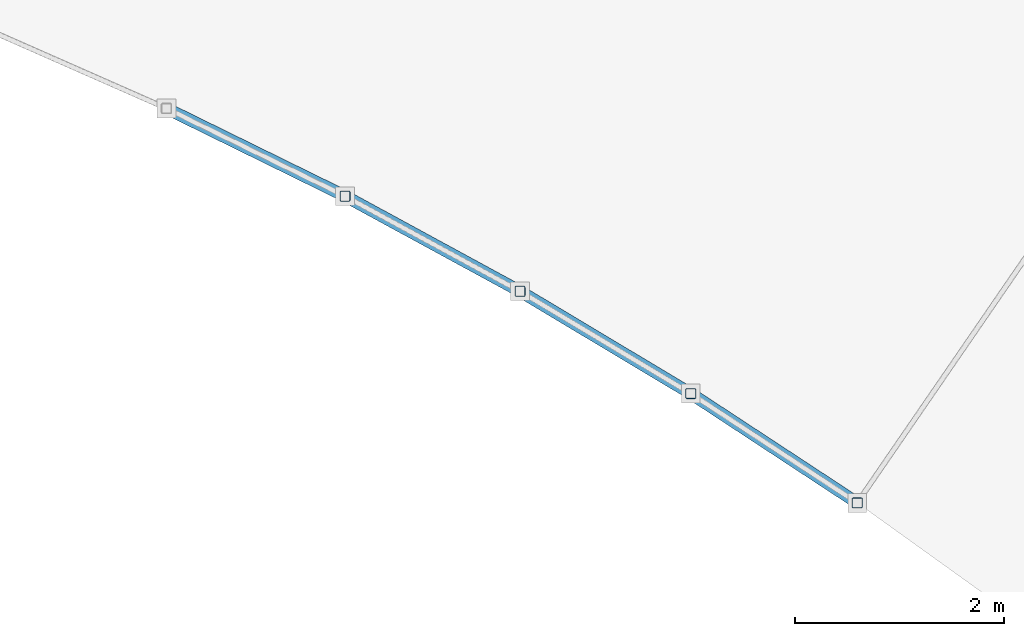
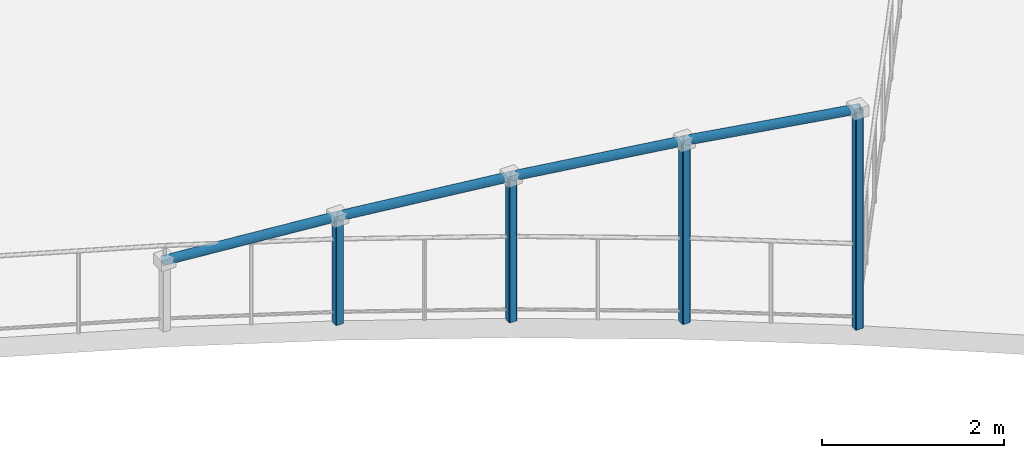
# One storey, part 16 of 58: 8 members.
"""IFC4 building model written with IfcOpenShell, lengths in metres."""

from ifc_helpers import new_model, si_unit, direction, frame, origin, origin_2d, place, context, subcontext, project, spatial, hollow_rectangle, hollow_circle, extrude, material, material_profile, profile_set, type_object, element, save


model = new_model("IFC4")

# Units and contexts
model_context = context("Model", 3, precision=1e-05, world=origin(), true_north=direction((0.0, 1.0)))
body_context = subcontext(model_context, "Body", "Model", "MODEL_VIEW")
ifc_project = project(units=[si_unit("LENGTHUNIT", "METRE"), si_unit("AREAUNIT", "SQUARE_METRE"), si_unit("VOLUMEUNIT", "CUBIC_METRE"), si_unit("PLANEANGLEUNIT", "RADIAN"), si_unit("MASSUNIT", "GRAM", prefix="KILO"), si_unit("POWERUNIT", "WATT"), si_unit("THERMODYNAMICTEMPERATUREUNIT", "KELVIN")], contexts=[model_context])

# Site, building, storey
site_placement = place(None, origin())
site = spatial("IfcSite", under=ifc_project, at=site_placement, CompositionType="ELEMENT")
building_placement = place(site_placement, origin())
building = spatial("IfcBuilding", under=site, at=building_placement, Name="Ruvembo Vaulted Housing Court", CompositionType="ELEMENT")
storey_placement = place(building_placement, frame((0.0, 0.0, 20.5)))
storey = spatial("IfcBuildingStorey", under=building, at=storey_placement, Name="L06", CompositionType="ELEMENT", Elevation=20.5)

# Members
ifc_material = material(Name="Steel S355J2", Category="steel")
ifc_material_profile_1 = material_profile(ifc_material, hollow_rectangle(XDim=0.10009765625, YDim=0.10009765625, WallThickness=0.00634765625, InnerFilletRadius=0.00634765625, OuterFilletRadius=0.0126953125, at=origin_2d()), Name="SHS 100x100x6.3")
ifc_profile_set_1 = profile_set([ifc_material_profile_1], Name="Steel S355J2")
member_type_1 = type_object("IfcMemberType", Name="MEM-FRM-SHS100", PredefinedType="STRUT", material=ifc_profile_set_1)
member_1_placement = place(storey_placement, frame((138.04248046875, 90.6796875, -0.02001953125), z_axis=(0.0, 0.0, 1.0), x_axis=(1.0, 0.0, 0.0)))
element("IfcMember", 1, at=member_1_placement, inside=storey, type_object=member_type_1, Name="Scoop SC3 L06 Upswept Post 26A", PredefinedType="STRUT", context=body_context, shape_type="SweptSolid", body=[
    extrude(hollow_rectangle(XDim=0.10009765625, YDim=0.10009765625, WallThickness=0.00634765625, InnerFilletRadius=0.00634765625, OuterFilletRadius=0.0126953125, at=origin_2d()), origin(), (0.0, 0.0, 1.0), 1.419921875),
])
member_2_placement = place(storey_placement, frame((139.712646484375, 89.771484375, -0.02001953125), z_axis=(0.0, 0.0, 1.0), x_axis=(1.0, 0.0, 0.0)))
element("IfcMember", 2, at=member_2_placement, inside=storey, type_object=member_type_1, Name="Scoop SC3 L06 Upswept Post 27A", PredefinedType="STRUT", context=body_context, shape_type="SweptSolid", body=[
    extrude(hollow_rectangle(XDim=0.10009765625, YDim=0.10009765625, WallThickness=0.00634765625, InnerFilletRadius=0.00634765625, OuterFilletRadius=0.0126953125, at=origin_2d()), origin(), (0.0, 0.0, 1.0), 1.919921875),
])
member_3_placement = place(storey_placement, frame((141.343505859375, 88.794677734375, -0.02001953125), z_axis=(0.0, 0.0, 1.0), x_axis=(1.0, 0.0, 0.0)))
element("IfcMember", 3, at=member_3_placement, inside=storey, type_object=member_type_1, Name="Scoop SC3 L06 Upswept Post 28A", PredefinedType="STRUT", context=body_context, shape_type="SweptSolid", body=[
    extrude(hollow_rectangle(XDim=0.10009765625, YDim=0.10009765625, WallThickness=0.00634765625, InnerFilletRadius=0.00634765625, OuterFilletRadius=0.0126953125, at=origin_2d()), origin(), (0.0, 0.0, 1.0), 2.419921875),
])
member_4_placement = place(storey_placement, frame((142.9326171875, 87.751220703125, -0.02001953125), z_axis=(0.0, 0.0, 1.0), x_axis=(1.0, 0.0, 0.0)))
element("IfcMember", 4, at=member_4_placement, inside=storey, type_object=member_type_1, Name="Scoop SC3 L06 Upswept Post 28B", PredefinedType="STRUT", context=body_context, shape_type="SweptSolid", body=[
    extrude(hollow_rectangle(XDim=0.10009765625, YDim=0.10009765625, WallThickness=0.00634765625, InnerFilletRadius=0.00634765625, OuterFilletRadius=0.0126953125, at=origin_2d()), origin(), (0.0, 0.0, 1.0), 2.919921875),
])
ifc_material_profile_2 = material_profile(ifc_material, hollow_circle(Radius=0.05712890625, WallThickness=0.00634765625, at=origin_2d()), Name="CHS 114.3x6.3")
ifc_profile_set_2 = profile_set([ifc_material_profile_2], Name="Steel S355J2")
member_type_2 = type_object("IfcMemberType", Name="MEM-STR-CHS114", PredefinedType="STRUT", material=ifc_profile_set_2)
member_5_placement = place(storey_placement, frame((136.30859375, 91.531494140625, 0.891845703125), z_axis=(0.868051528671, -0.426326859425, 0.254424748218), x_axis=(0.440833556892, 0.897588867532, 0.0)))
element("IfcMember", 5, at=member_5_placement, inside=storey, type_object=member_type_2, Name="Scoop SC3 L06 Upswept Crest Tube 25", PredefinedType="STRUT", context=body_context, shape_type="SweptSolid", body=[
    extrude(hollow_circle(Radius=0.05712890625, WallThickness=0.00634765625, at=origin_2d()), origin(), (0.0, 0.0, 1.0), 2.029541015625),
])
for number, where, z_axis, x_axis, name in (
    (6, (138.015380859375, 90.694580078125, 1.391845703125), (0.849545893872, -0.462120249789, 0.254394671604), (0.477840985732, 0.878446351438, 0.0), "Scoop SC3 L06 Upswept Crest Tube 26"),
    (7, (139.68603515625, 89.787353515625, 1.891845703125), (0.8296957079, -0.496879235914, 0.254393508583), (0.513782265286, 0.857920616303, 0.0), "Scoop SC3 L06 Upswept Crest Tube 27"),
    (8, (141.317626953125, 88.811767578125, 2.391845703125), (0.808361177971, -0.530889189044, 0.254379391669), (0.548947074357, 0.835857110728, 0.0), "Scoop SC3 L06 Upswept Crest Tube 28"),
):
    element("IfcMember", number, at=place(storey_placement, frame(where, z_axis=z_axis, x_axis=x_axis)), inside=storey, type_object=member_type_2, Name=name, PredefinedType="STRUT", context=body_context, shape_type="SweptSolid", body=[
        extrude(hollow_circle(Radius=0.05712890625, WallThickness=0.00634765625, at=origin_2d()), origin(), (0.0, 0.0, 1.0), 2.02978515625),
    ])

save(model, "model.ifc")
